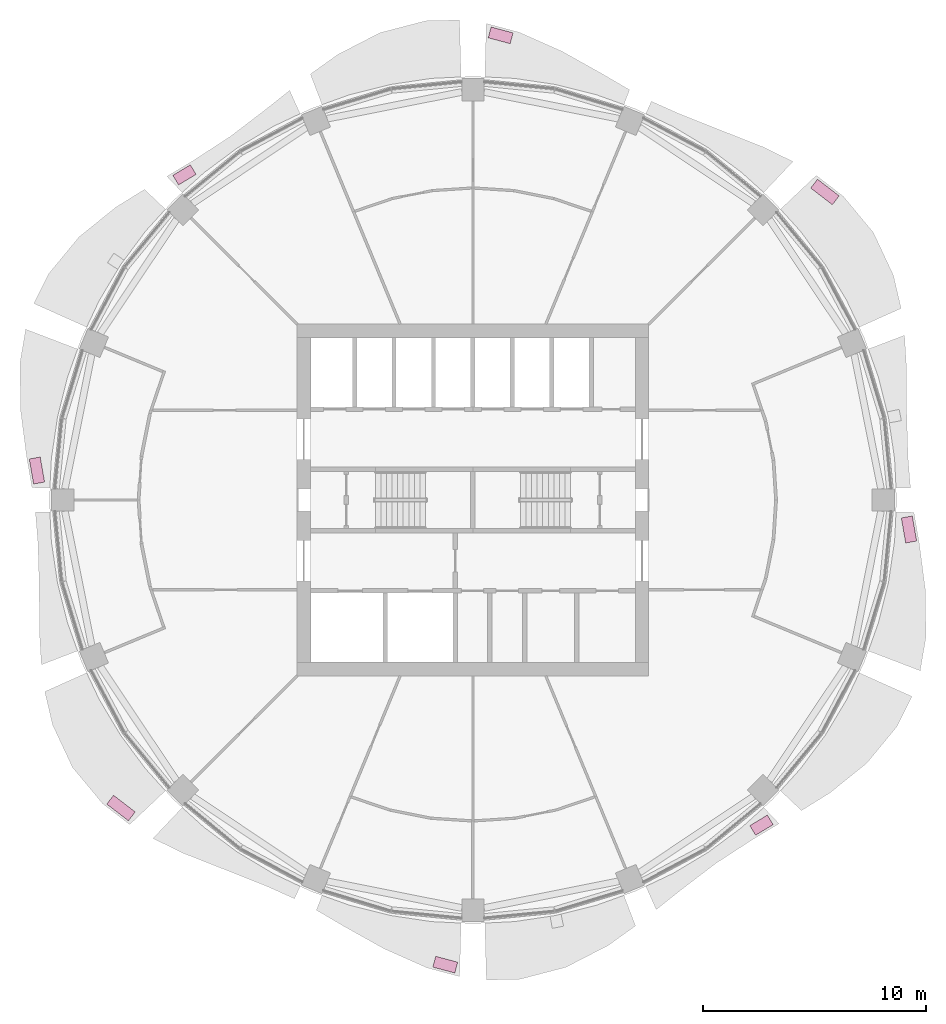
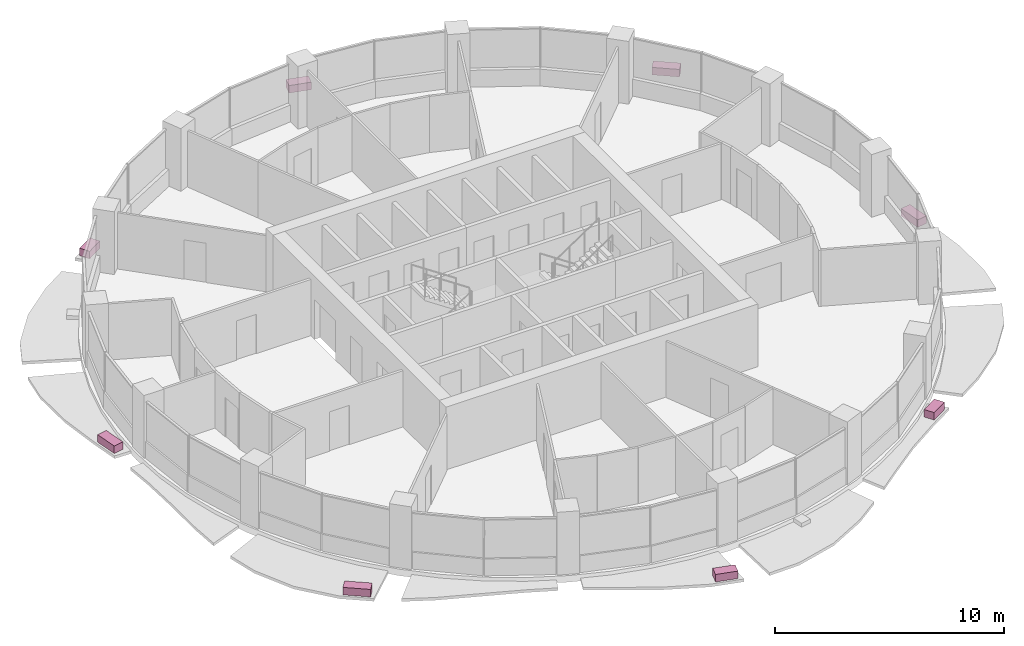
# One storey, part 15 of 15: 8 furniture elements.
"""IFC4 building model written with IfcOpenShell, lengths in metres."""

from ifc_helpers import new_model, si_unit, direction, frame, origin, origin_2d, place, context, subcontext, project, spatial, rectangle, extrude, material, type_object, element, save


model = new_model("IFC4")

# Units and contexts
model_context = context("Model", 3, precision=1e-05, world=origin(), true_north=direction((0.0, 1.0)))
body_context = subcontext(model_context, "Body", "Model", "MODEL_VIEW")
ifc_project = project(units=[si_unit("LENGTHUNIT", "METRE"), si_unit("AREAUNIT", "SQUARE_METRE"), si_unit("VOLUMEUNIT", "CUBIC_METRE"), si_unit("PLANEANGLEUNIT", "RADIAN"), si_unit("MASSUNIT", "GRAM", prefix="KILO")], contexts=[model_context])

# Site, building, storey
site_placement = place(None, origin())
site = spatial("IfcSite", under=ifc_project, at=site_placement, CompositionType="ELEMENT")
building_placement = place(site_placement, origin())
building = spatial("IfcBuilding", under=site, at=building_placement, Name="Polderwave Tower", CompositionType="ELEMENT")
storey_placement = place(building_placement, frame((0.0, 0.0, 137.699951171875)))
storey = spatial("IfcBuildingStorey", under=building, at=storey_placement, Name="L36", CompositionType="ELEMENT", Elevation=137.699951171875)

# Furniture
ifc_material = material(Name="Terracotta", Category="masonry")
furniture_type = type_object("IfcFurnitureType", Name="Terracotta planting trough", AssemblyPlace="NOTDEFINED", PredefinedType="USERDEFINED", material=ifc_material)
furniture_1_placement = place(storey_placement, frame((15.768798828125, 13.799560546875, -0.199951171875), z_axis=(0.0, 0.0, 1.0), x_axis=(-0.792506833589, 0.60986303275, 0.0)))
element("IfcFurniture", 1, at=furniture_1_placement, inside=storey, type_object=furniture_type, Name="Planting trough L36 2", ObjectType="PLANTER", PredefinedType="USERDEFINED", context=body_context, shape_type="SweptSolid", body=[
    extrude(rectangle(XDim=1.224365234375, YDim=0.5, at=origin_2d()), origin(), (0.0, 0.0, 1.0), 0.39990234375),
])
furniture_2_placement = place(storey_placement, frame((1.240478515625, 20.816650390625, -0.199951171875), z_axis=(0.0, 0.0, 1.0), x_axis=(-0.966280422111, 0.257492030644, 0.0)))
element("IfcFurniture", 2, at=furniture_2_placement, inside=storey, type_object=furniture_type, Name="Planting trough L36 4", ObjectType="PLANTER", PredefinedType="USERDEFINED", context=body_context, shape_type="SweptSolid", body=[
    extrude(rectangle(XDim=1.0185546875, YDim=0.5, at=origin_2d()), origin(), (0.0, 0.0, 1.0), 0.39990234375),
])
furniture_3_placement = place(storey_placement, frame((-12.925537109375, 14.566162109375, -0.199951171875), z_axis=(0.0, 0.0, 1.0), x_axis=(-0.856923599945, -0.515443443898, 0.0)))
element("IfcFurniture", 3, at=furniture_3_placement, inside=storey, type_object=furniture_type, Name="Planting trough L36 6", ObjectType="PLANTER", PredefinedType="USERDEFINED", context=body_context, shape_type="SweptSolid", body=[
    extrude(rectangle(XDim=0.915283203125, YDim=0.5, at=origin_2d()), origin(), (0.0, 0.0, 1.0), 0.39990234375),
])
furniture_4_placement = place(storey_placement, frame((-19.53466796875, 1.321044921875, -0.199951171875), z_axis=(0.0, 0.0, 1.0), x_axis=(0.171062486452, -0.985260181743, 0.0)))
element("IfcFurniture", 4, at=furniture_4_placement, inside=storey, type_object=furniture_type, Name="Planting trough L36 8", ObjectType="PLANTER", PredefinedType="USERDEFINED", context=body_context, shape_type="SweptSolid", body=[
    extrude(rectangle(XDim=1.138916015625, YDim=0.5, at=origin_2d()), origin(), (0.0, 0.0, 1.0), 0.39990234375),
])
furniture_5_placement = place(storey_placement, frame((-15.768798828125, -13.799560546875, -0.199951171875), z_axis=(0.0, 0.0, 1.0), x_axis=(0.792506833589, -0.60986303275, 0.0)))
element("IfcFurniture", 5, at=furniture_5_placement, inside=storey, type_object=furniture_type, Name="Planting trough L36 10", ObjectType="PLANTER", PredefinedType="USERDEFINED", context=body_context, shape_type="SweptSolid", body=[
    extrude(rectangle(XDim=1.224365234375, YDim=0.5, at=origin_2d()), origin(), (0.0, 0.0, 1.0), 0.39990234375),
])
furniture_6_placement = place(storey_placement, frame((-1.240478515625, -20.816650390625, -0.199951171875), z_axis=(0.0, 0.0, 1.0), x_axis=(0.966280422111, -0.257492030644, 0.0)))
element("IfcFurniture", 6, at=furniture_6_placement, inside=storey, type_object=furniture_type, Name="Planting trough L36 12", ObjectType="PLANTER", PredefinedType="USERDEFINED", context=body_context, shape_type="SweptSolid", body=[
    extrude(rectangle(XDim=1.0185546875, YDim=0.5, at=origin_2d()), origin(), (0.0, 0.0, 1.0), 0.39990234375),
])
furniture_7_placement = place(storey_placement, frame((12.925537109375, -14.566162109375, -0.199951171875), z_axis=(0.0, 0.0, 1.0), x_axis=(0.856923599945, 0.515443443898, 0.0)))
element("IfcFurniture", 7, at=furniture_7_placement, inside=storey, type_object=furniture_type, Name="Planting trough L36 14", ObjectType="PLANTER", PredefinedType="USERDEFINED", context=body_context, shape_type="SweptSolid", body=[
    extrude(rectangle(XDim=0.915283203125, YDim=0.5, at=origin_2d()), origin(), (0.0, 0.0, 1.0), 0.39990234375),
])
furniture_8_placement = place(storey_placement, frame((19.53466796875, -1.321044921875, -0.199951171875), z_axis=(0.0, 0.0, 1.0), x_axis=(-0.171062486452, 0.985260181743, 0.0)))
element("IfcFurniture", 8, at=furniture_8_placement, inside=storey, type_object=furniture_type, Name="Planting trough L36 16", ObjectType="PLANTER", PredefinedType="USERDEFINED", context=body_context, shape_type="SweptSolid", body=[
    extrude(rectangle(XDim=1.138916015625, YDim=0.5, at=origin_2d()), origin(), (0.0, 0.0, 1.0), 0.39990234375),
])

save(model, "model.ifc")
